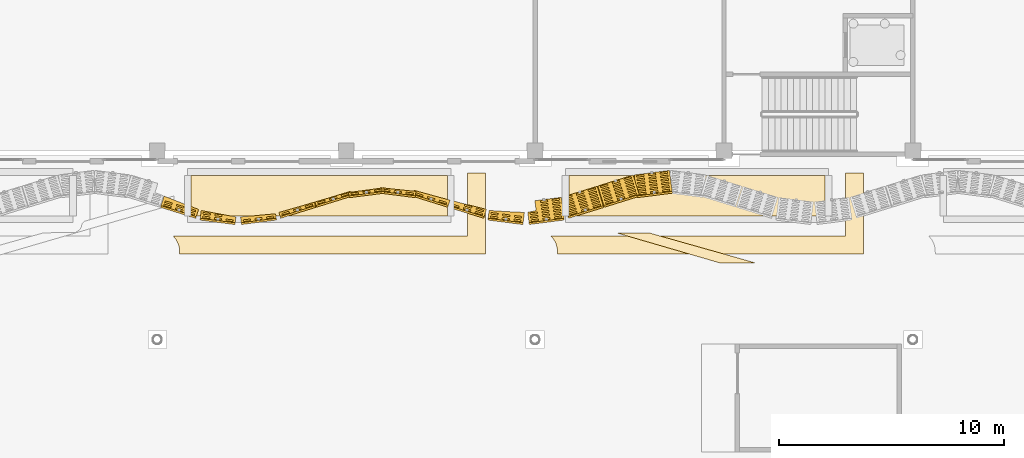
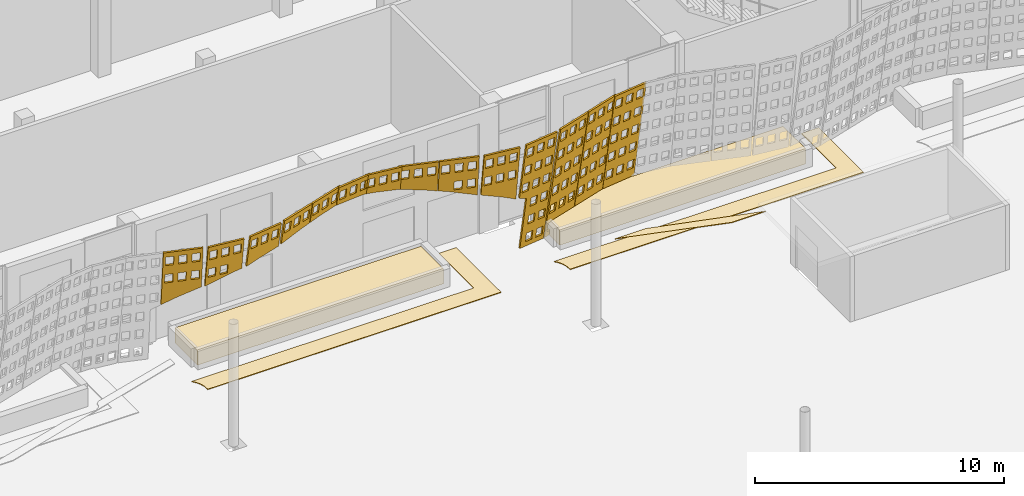
# One storey, part 175 of 210: 19 coverings.
"""IFC4 building model written with IfcOpenShell, lengths in metres."""

from ifc_helpers import new_model, si_unit, direction, frame, origin, origin_2d, place, context, subcontext, project, spatial, polyline, rectangle, outline, extrude, material, layer, layer_set, type_object, element, save


model = new_model("IFC4")

# Units and contexts
model_context = context("Model", 3, precision=1e-05, world=origin(), true_north=direction((0.0, 1.0)))
body_context = subcontext(model_context, "Body", "Model", "MODEL_VIEW")
ifc_project = project(units=[si_unit("LENGTHUNIT", "METRE"), si_unit("AREAUNIT", "SQUARE_METRE"), si_unit("VOLUMEUNIT", "CUBIC_METRE"), si_unit("PLANEANGLEUNIT", "RADIAN"), si_unit("MASSUNIT", "GRAM", prefix="KILO")], contexts=[model_context])

# Site, building, storey
site_placement = place(None, origin())
site = spatial("IfcSite", under=ifc_project, at=site_placement, CompositionType="ELEMENT")
building_placement = place(site_placement, origin())
building = spatial("IfcBuilding", under=site, at=building_placement, Name="Rain Tree Exposition and Congress Centre", CompositionType="ELEMENT")
storey_placement = place(building_placement, origin())
storey = spatial("IfcBuildingStorey", under=building, at=storey_placement, Name="L00", CompositionType="ELEMENT", Elevation=0.0)

# Coverings
ifc_material_1 = material(Name="Granite paving", Category="masonry")
ifc_layer_1 = layer(ifc_material_1, 0.030029296875)
ifc_layer_set_1 = layer_set([ifc_layer_1], Name="Granite paving")
covering_type_1 = type_object("IfcCoveringType", Name="Granite paving inlay 30", PredefinedType="FLOORING", material=ifc_layer_set_1)
covering_1_placement = place(storey_placement, origin())
element("IfcCovering", 1, at=covering_1_placement, inside=storey, type_object=covering_type_1, Name="Granite paving inlay 23", PredefinedType="FLOORING", context=body_context, shape_type="SweptSolid", body=[
    extrude(outline(polyline([(114.259033203125, 71.949951171875), (112.818603515625, 71.949951171875), (117.45849609375, 70.60009765625), (119.037109375, 70.60009765625), (116.853759765625, 71.216796875), (114.259033203125, 71.949951171875)])), origin(), (0.0, 0.0, 1.0), 0.030029296875),
])
covering_2_placement = place(storey_placement, origin())
element("IfcCovering", 2, at=covering_2_placement, inside=storey, type_object=covering_type_1, Name="Granite paving inlay 26", PredefinedType="FLOORING", context=body_context, shape_type="SweptSolid", body=[
    extrude(outline(polyline([(106.199951171875, 71.800048828125), (93.113525390625, 71.800048828125), (93.241943359375, 71.638916015625), (93.330810546875, 71.46435546875), (93.384033203125, 71.275634765625), (93.39990234375, 71.0), (107.0, 71.0), (107.0, 74.60009765625), (106.199951171875, 74.60009765625), (106.199951171875, 71.800048828125)])), origin(), (0.0, 0.0, 1.0), 0.030029296875),
])
covering_3_placement = place(storey_placement, origin())
element("IfcCovering", 3, at=covering_3_placement, inside=storey, type_object=covering_type_1, Name="Granite paving inlay 27", PredefinedType="FLOORING", context=body_context, shape_type="SweptSolid", body=[
    extrude(outline(polyline([(123.0, 71.800048828125), (109.91357421875, 71.800048828125), (110.0419921875, 71.638916015625), (110.130859375, 71.46435546875), (110.18408203125, 71.275634765625), (110.199951171875, 71.0), (123.800048828125, 71.0), (123.800048828125, 74.60009765625), (123.0, 74.60009765625), (123.0, 71.800048828125)])), origin(), (0.0, 0.0, 1.0), 0.030029296875),
])
ifc_material_2 = material(Name="Planting substrate", Category="soil")
ifc_layer_2 = layer(ifc_material_2, 0.75)
ifc_layer_set_2 = layer_set([ifc_layer_2], Name="Planting substrate")
covering_type_2 = type_object("IfcCoveringType", Name="Planting bed substrate 750", PredefinedType="FLOORING", material=ifc_layer_set_2)
for number, where, z_axis, x_axis, name in (
    (4, (99.60009765625, 73.60009765625, 0.0), (0.0, 0.0, 1.0), (1.0, 0.0, 0.0), "Planting bed"),
    (5, (116.39990234375, 73.60009765625, 0.0), (0.0, 0.0, 1.0), (1.0, 0.0, 0.0), "Planting bed"),
):
    element("IfcCovering", number, at=place(storey_placement, frame(where, z_axis=z_axis, x_axis=x_axis)), inside=storey, type_object=covering_type_2, Name=name, PredefinedType="FLOORING", context=body_context, shape_type="SweptSolid", body=[
        extrude(rectangle(XDim=11.39990234375, YDim=1.800048828125, at=origin_2d()), origin(), (0.0, 0.0, 1.0), 0.75),
    ])
ifc_material_3 = material(Name="Perforated terracotta", Category="masonry")
ifc_layer_3 = layer(ifc_material_3, 0.080078125)
ifc_layer_set_3 = layer_set([ifc_layer_3], Name="Perforated terracotta")
covering_type_3 = type_object("IfcCoveringType", Name="Terracotta screen 80", PredefinedType="CLADDING", material=ifc_layer_set_3)
covering_4_placement = place(storey_placement, frame((92.800048828125, 73.949951171875, 0.0), z_axis=(0.293072736571, 0.943327870838, 0.155694891303), x_axis=(-0.954973588716, 0.296690823679, 0.0)))
element("IfcCovering", 6, at=covering_4_placement, inside=storey, type_object=covering_type_3, Name="concourse/screen/L00/059", PredefinedType="CLADDING", context=body_context, shape_type="SweptSolid", body=[
    extrude(outline(polyline([(-0.014892578125, 5.80859375), (-0.014892578125, 2.939697265625), (-0.680419921875, 3.25634765625), (-1.65283203125, 3.645751953125), (-1.65283203125, 5.80859375), (-0.014892578125, 5.80859375)]), holes=[polyline([(-0.11865234375, 4.122314453125), (-0.11865234375, 4.5908203125), (-0.457275390625, 4.5908203125), (-0.457275390625, 4.122314453125), (-0.11865234375, 4.122314453125)]), polyline([(-0.11865234375, 5.09033203125), (-0.11865234375, 5.558837890625), (-0.457275390625, 5.558837890625), (-0.457275390625, 5.09033203125), (-0.11865234375, 5.09033203125)]), polyline([(-0.664794921875, 4.122314453125), (-0.664794921875, 4.5908203125), (-1.003173828125, 4.5908203125), (-1.003173828125, 4.122314453125), (-0.664794921875, 4.122314453125)]), polyline([(-0.664794921875, 5.09033203125), (-0.664794921875, 5.558837890625), (-1.003173828125, 5.558837890625), (-1.003173828125, 5.09033203125), (-0.664794921875, 5.09033203125)]), polyline([(-1.210693359375, 4.122314453125), (-1.210693359375, 4.5908203125), (-1.54931640625, 4.5908203125), (-1.54931640625, 4.122314453125), (-1.210693359375, 4.122314453125)]), polyline([(-1.210693359375, 5.09033203125), (-1.210693359375, 5.558837890625), (-1.54931640625, 5.558837890625), (-1.54931640625, 5.09033203125), (-1.210693359375, 5.09033203125)])]), origin(), (0.0, 0.0, 1.0), 0.080078125),
])
covering_5_placement = place(storey_placement, frame((94.39990234375, 73.455078125, 0.0), z_axis=(0.125405134464, 0.978771781185, 0.162109076259), x_axis=(-0.991891686382, 0.127086122318, 0.0)))
element("IfcCovering", 7, at=covering_5_placement, inside=storey, type_object=covering_type_3, Name="concourse/screen/L00/060", PredefinedType="CLADDING", context=body_context, shape_type="SweptSolid", body=[
    extrude(outline(polyline([(-0.02197265625, 5.813720703125), (-0.02197265625, 3.667236328125), (-0.100830078125, 3.699951171875), (-1.159423828125, 4.06396484375), (-1.587890625, 4.182373046875), (-1.587890625, 5.813720703125), (-0.02197265625, 5.813720703125)]), holes=[polyline([(-0.12109375, 4.125732421875), (-0.12109375, 4.594482421875), (-0.444580078125, 4.594482421875), (-0.444580078125, 4.125732421875), (-0.12109375, 4.125732421875)]), polyline([(-0.12109375, 5.0947265625), (-0.12109375, 5.563720703125), (-0.444580078125, 5.563720703125), (-0.444580078125, 5.0947265625), (-0.12109375, 5.0947265625)]), polyline([(-0.64306640625, 4.125732421875), (-0.64306640625, 4.594482421875), (-0.966796875, 4.594482421875), (-0.966796875, 4.125732421875), (-0.64306640625, 4.125732421875)]), polyline([(-0.64306640625, 5.0947265625), (-0.64306640625, 5.563720703125), (-0.966796875, 5.563720703125), (-0.966796875, 5.0947265625), (-0.64306640625, 5.0947265625)]), polyline([(-1.1650390625, 5.0947265625), (-1.1650390625, 5.563720703125), (-1.48876953125, 5.563720703125), (-1.48876953125, 5.0947265625), (-1.1650390625, 5.0947265625)])]), origin(), (0.0, 0.0, 1.0), 0.079833984375),
])
covering_6_placement = place(storey_placement, frame((96.0, 73.25, 0.0), z_axis=(-0.125030801275, 0.978899688033, 0.161625182136), x_axis=(-0.991941518713, -0.126696580272, 0.0)))
element("IfcCovering", 8, at=covering_6_placement, inside=storey, type_object=covering_type_3, Name="concourse/screen/L00/061", PredefinedType="CLADDING", context=body_context, shape_type="SweptSolid", body=[
    extrude(outline(polyline([(-0.025146484375, 5.813720703125), (-0.025146484375, 4.1962890625), (-0.60498046875, 4.356201171875), (-1.59130859375, 4.56494140625), (-1.59130859375, 5.813720703125), (-0.025146484375, 5.813720703125)]), holes=[polyline([(-0.12451171875, 5.0947265625), (-0.12451171875, 5.563720703125), (-0.447998046875, 5.563720703125), (-0.447998046875, 5.0947265625), (-0.12451171875, 5.0947265625)]), polyline([(-0.646484375, 5.0947265625), (-0.646484375, 5.563720703125), (-0.969970703125, 5.563720703125), (-0.969970703125, 5.0947265625), (-0.646484375, 5.0947265625)]), polyline([(-1.16845703125, 5.0947265625), (-1.16845703125, 5.563720703125), (-1.491943359375, 5.563720703125), (-1.491943359375, 5.0947265625), (-1.16845703125, 5.0947265625)])]), origin(), (0.0, 0.0, 1.0), 0.080078125),
])
covering_7_placement = place(storey_placement, frame((97.60009765625, 73.455078125, 0.0), z_axis=(-0.293072736571, 0.943327870838, 0.155694891303), x_axis=(-0.954973588716, -0.296690823679, 0.0)))
element("IfcCovering", 9, at=covering_7_placement, inside=storey, type_object=covering_type_3, Name="concourse/screen/L00/062", PredefinedType="CLADDING", context=body_context, shape_type="SweptSolid", body=[
    extrude(outline(polyline([(-0.02197265625, 5.80859375), (-0.02197265625, 4.569580078125), (-0.05224609375, 4.57568359375), (-1.1513671875, 4.73388671875), (-1.659912109375, 4.777587890625), (-1.659912109375, 5.80859375), (-0.02197265625, 5.80859375)]), holes=[polyline([(-0.125732421875, 5.09033203125), (-0.125732421875, 5.558837890625), (-0.464111328125, 5.558837890625), (-0.464111328125, 5.09033203125), (-0.125732421875, 5.09033203125)]), polyline([(-0.671630859375, 5.09033203125), (-0.671630859375, 5.558837890625), (-1.010009765625, 5.558837890625), (-1.010009765625, 5.09033203125), (-0.671630859375, 5.09033203125)]), polyline([(-1.217529296875, 5.09033203125), (-1.217529296875, 5.558837890625), (-1.55615234375, 5.558837890625), (-1.55615234375, 5.09033203125), (-1.217529296875, 5.09033203125)])]), origin(), (0.0, 0.0, 1.0), 0.080078125),
])
covering_8_placement = place(storey_placement, frame((99.199951171875, 73.949951171875, 0.0), z_axis=(-0.293072736571, 0.943327870838, 0.155694891303), x_axis=(-0.954973588716, -0.296690823679, 0.0)))
element("IfcCovering", 10, at=covering_8_placement, inside=storey, type_object=covering_type_3, Name="concourse/screen/L00/063", PredefinedType="CLADDING", context=body_context, shape_type="SweptSolid", body=[
    extrude(outline(polyline([(-0.014892578125, 5.80859375), (-0.014892578125, 4.780029296875), (-0.57568359375, 4.828125), (-1.659912109375, 4.85888671875), (-1.659912109375, 5.80859375), (-0.014892578125, 5.80859375)]), holes=[polyline([(-0.119140625, 5.09033203125), (-0.119140625, 5.558837890625), (-0.458984375, 5.558837890625), (-0.458984375, 5.09033203125), (-0.119140625, 5.09033203125)]), polyline([(-0.66748046875, 5.09033203125), (-0.66748046875, 5.558837890625), (-1.00732421875, 5.558837890625), (-1.00732421875, 5.09033203125), (-0.66748046875, 5.09033203125)]), polyline([(-1.2158203125, 5.09033203125), (-1.2158203125, 5.558837890625), (-1.5556640625, 5.558837890625), (-1.5556640625, 5.09033203125), (-1.2158203125, 5.09033203125)])]), origin(), (0.0, 0.0, 1.0), 0.080078125),
])
covering_9_placement = place(storey_placement, frame((100.800048828125, 74.445068359375, 0.0), z_axis=(-0.125405134464, 0.978771781185, 0.162109076259), x_axis=(-0.991891686382, -0.127086122318, 0.0)))
element("IfcCovering", 11, at=covering_9_placement, inside=storey, type_object=covering_type_3, Name="concourse/screen/L00/064", PredefinedType="CLADDING", context=body_context, shape_type="SweptSolid", body=[
    extrude(outline(polyline([(-0.014892578125, 5.813720703125), (-0.014892578125, 4.863525390625), (-1.05859375, 4.832763671875), (-1.59814453125, 4.78466796875), (-1.59814453125, 5.813720703125), (-0.014892578125, 5.813720703125)]), holes=[polyline([(-0.115234375, 5.0947265625), (-0.115234375, 5.563720703125), (-0.4423828125, 5.563720703125), (-0.4423828125, 5.0947265625), (-0.115234375, 5.0947265625)]), polyline([(-0.64306640625, 5.0947265625), (-0.64306640625, 5.563720703125), (-0.97021484375, 5.563720703125), (-0.97021484375, 5.0947265625), (-0.64306640625, 5.0947265625)]), polyline([(-1.170654296875, 5.0947265625), (-1.170654296875, 5.563720703125), (-1.497802734375, 5.563720703125), (-1.497802734375, 5.0947265625), (-1.170654296875, 5.0947265625)])]), origin(), (0.0, 0.0, 1.0), 0.079833984375),
])
covering_10_placement = place(storey_placement, frame((102.39990234375, 74.64990234375, 0.0), z_axis=(0.125030801275, 0.978899688033, 0.161625182136), x_axis=(-0.991941518713, 0.126696580272, 0.0)))
element("IfcCovering", 12, at=covering_10_placement, inside=storey, type_object=covering_type_3, Name="concourse/screen/L00/065", PredefinedType="CLADDING", context=body_context, shape_type="SweptSolid", body=[
    extrude(outline(polyline([(-0.014892578125, 5.813720703125), (-0.014892578125, 4.781982421875), (-0.504150390625, 4.738525390625), (-1.562744140625, 4.580078125), (-1.59814453125, 4.57275390625), (-1.59814453125, 5.813720703125), (-0.014892578125, 5.813720703125)]), holes=[polyline([(-0.115234375, 5.0947265625), (-0.115234375, 5.563720703125), (-0.4423828125, 5.563720703125), (-0.4423828125, 5.0947265625), (-0.115234375, 5.0947265625)]), polyline([(-0.64306640625, 5.0947265625), (-0.64306640625, 5.563720703125), (-0.97021484375, 5.563720703125), (-0.97021484375, 5.0947265625), (-0.64306640625, 5.0947265625)]), polyline([(-1.170654296875, 5.0947265625), (-1.170654296875, 5.563720703125), (-1.497802734375, 5.563720703125), (-1.497802734375, 5.0947265625), (-1.170654296875, 5.0947265625)])]), origin(), (0.0, 0.0, 1.0), 0.080078125),
])
covering_11_placement = place(storey_placement, frame((104.0, 74.445068359375, 0.0), z_axis=(0.293072736571, 0.943327870838, 0.155694891303), x_axis=(-0.954973588716, 0.296690823679, 0.0)))
element("IfcCovering", 13, at=covering_11_placement, inside=storey, type_object=covering_type_3, Name="concourse/screen/L00/066", PredefinedType="CLADDING", context=body_context, shape_type="SweptSolid", body=[
    extrude(outline(polyline([(-0.014892578125, 5.80859375), (-0.014892578125, 4.56201171875), (-1.046875, 4.35205078125), (-1.659912109375, 4.189208984375), (-1.659912109375, 5.80859375), (-0.014892578125, 5.80859375)]), holes=[polyline([(-0.119140625, 5.09033203125), (-0.119140625, 5.558837890625), (-0.458984375, 5.558837890625), (-0.458984375, 5.09033203125), (-0.119140625, 5.09033203125)]), polyline([(-0.66748046875, 5.09033203125), (-0.66748046875, 5.558837890625), (-1.00732421875, 5.558837890625), (-1.00732421875, 5.09033203125), (-0.66748046875, 5.09033203125)]), polyline([(-1.2158203125, 5.09033203125), (-1.2158203125, 5.558837890625), (-1.5556640625, 5.558837890625), (-1.5556640625, 5.09033203125), (-1.2158203125, 5.09033203125)])]), origin(), (0.0, 0.0, 1.0), 0.080078125),
])
covering_12_placement = place(storey_placement, frame((105.60009765625, 73.949951171875, 0.0), z_axis=(0.290278371326, 0.94416859726, 0.155833651975), x_axis=(-0.955845867297, 0.293868470528, 0.0)))
element("IfcCovering", 14, at=covering_12_placement, inside=storey, type_object=covering_type_3, Name="concourse/screen/L00/067", PredefinedType="CLADDING", context=body_context, shape_type="SweptSolid", body=[
    extrude(outline(polyline([(-0.014892578125, 5.80859375), (-0.014892578125, 4.181396484375), (-0.470947265625, 4.060302734375), (-1.570068359375, 3.696533203125), (-1.65283203125, 3.663330078125), (-1.65283203125, 5.80859375), (-0.014892578125, 5.80859375)]), holes=[polyline([(-0.11865234375, 5.09033203125), (-0.11865234375, 5.558837890625), (-0.457275390625, 5.558837890625), (-0.457275390625, 5.09033203125), (-0.11865234375, 5.09033203125)]), polyline([(-0.664794921875, 4.122314453125), (-0.664794921875, 4.5908203125), (-1.003173828125, 4.5908203125), (-1.003173828125, 4.122314453125), (-0.664794921875, 4.122314453125)]), polyline([(-0.664794921875, 5.09033203125), (-0.664794921875, 5.558837890625), (-1.003173828125, 5.558837890625), (-1.003173828125, 5.09033203125), (-0.664794921875, 5.09033203125)]), polyline([(-1.210693359375, 4.122314453125), (-1.210693359375, 4.5908203125), (-1.54931640625, 4.5908203125), (-1.54931640625, 4.122314453125), (-1.210693359375, 4.122314453125)]), polyline([(-1.210693359375, 5.09033203125), (-1.210693359375, 5.558837890625), (-1.54931640625, 5.558837890625), (-1.54931640625, 5.09033203125), (-1.210693359375, 5.09033203125)])]), origin(), (0.0, 0.0, 1.0), 0.079833984375),
])
covering_13_placement = place(storey_placement, frame((107.199951171875, 73.455078125, 0.0), z_axis=(0.125405134464, 0.978771781185, 0.162109076259), x_axis=(-0.991891686382, 0.127086122318, 0.0)))
element("IfcCovering", 15, at=covering_13_placement, inside=storey, type_object=covering_type_3, Name="concourse/screen/L00/068", PredefinedType="CLADDING", context=body_context, shape_type="SweptSolid", body=[
    extrude(outline(polyline([(-0.02197265625, 5.813720703125), (-0.02197265625, 3.64892578125), (-0.957763671875, 3.259521484375), (-1.587890625, 2.947998046875), (-1.587890625, 5.813720703125), (-0.02197265625, 5.813720703125)]), holes=[polyline([(-0.12109375, 4.125732421875), (-0.12109375, 4.594482421875), (-0.444580078125, 4.594482421875), (-0.444580078125, 4.125732421875), (-0.12109375, 4.125732421875)]), polyline([(-0.12109375, 5.0947265625), (-0.12109375, 5.563720703125), (-0.444580078125, 5.563720703125), (-0.444580078125, 5.0947265625), (-0.12109375, 5.0947265625)]), polyline([(-0.64306640625, 4.125732421875), (-0.64306640625, 4.594482421875), (-0.966796875, 4.594482421875), (-0.966796875, 4.125732421875), (-0.64306640625, 4.125732421875)]), polyline([(-0.64306640625, 5.0947265625), (-0.64306640625, 5.563720703125), (-0.966796875, 5.563720703125), (-0.966796875, 5.0947265625), (-0.64306640625, 5.0947265625)]), polyline([(-1.1650390625, 4.125732421875), (-1.1650390625, 4.594482421875), (-1.48876953125, 4.594482421875), (-1.48876953125, 4.125732421875), (-1.1650390625, 4.125732421875)]), polyline([(-1.1650390625, 5.0947265625), (-1.1650390625, 5.563720703125), (-1.48876953125, 5.563720703125), (-1.48876953125, 5.0947265625), (-1.1650390625, 5.0947265625)])]), origin(), (0.0, 0.0, 1.0), 0.079833984375),
])
covering_14_placement = place(storey_placement, frame((108.800048828125, 73.25, 0.0), z_axis=(-0.125030801275, 0.978899688033, 0.161625182136), x_axis=(-0.991941518713, -0.126696580272, 0.0)))
element("IfcCovering", 16, at=covering_14_placement, inside=storey, type_object=covering_type_3, Name="concourse/screen/L00/069", PredefinedType="CLADDING", context=body_context, shape_type="SweptSolid", body=[
    extrude(outline(polyline([(-0.025146484375, 5.813720703125), (-0.025146484375, 2.923095703125), (-0.4033203125, 2.736083984375), (-0.4033203125, 0.0), (-1.59130859375, 0.0), (-1.59130859375, 5.813720703125), (-0.025146484375, 5.813720703125)]), holes=[polyline([(-0.12451171875, 3.156982421875), (-0.12451171875, 3.625732421875), (-0.447998046875, 3.625732421875), (-0.447998046875, 3.156982421875), (-0.12451171875, 3.156982421875)]), polyline([(-0.12451171875, 4.125732421875), (-0.12451171875, 4.594482421875), (-0.447998046875, 4.594482421875), (-0.447998046875, 4.125732421875), (-0.12451171875, 4.125732421875)]), polyline([(-0.12451171875, 5.0947265625), (-0.12451171875, 5.563720703125), (-0.447998046875, 5.563720703125), (-0.447998046875, 5.0947265625), (-0.12451171875, 5.0947265625)]), polyline([(-0.646484375, 0.25), (-0.646484375, 0.718994140625), (-0.969970703125, 0.718994140625), (-0.969970703125, 0.25), (-0.646484375, 0.25)]), polyline([(-0.646484375, 1.218994140625), (-0.646484375, 1.687744140625), (-0.969970703125, 1.687744140625), (-0.969970703125, 1.218994140625), (-0.646484375, 1.218994140625)]), polyline([(-0.646484375, 2.18798828125), (-0.646484375, 2.65673828125), (-0.969970703125, 2.65673828125), (-0.969970703125, 2.18798828125), (-0.646484375, 2.18798828125)]), polyline([(-0.646484375, 3.156982421875), (-0.646484375, 3.625732421875), (-0.969970703125, 3.625732421875), (-0.969970703125, 3.156982421875), (-0.646484375, 3.156982421875)]), polyline([(-0.646484375, 4.125732421875), (-0.646484375, 4.594482421875), (-0.969970703125, 4.594482421875), (-0.969970703125, 4.125732421875), (-0.646484375, 4.125732421875)]), polyline([(-0.646484375, 5.0947265625), (-0.646484375, 5.563720703125), (-0.969970703125, 5.563720703125), (-0.969970703125, 5.0947265625), (-0.646484375, 5.0947265625)]), polyline([(-1.16845703125, 0.25), (-1.16845703125, 0.718994140625), (-1.491943359375, 0.718994140625), (-1.491943359375, 0.25), (-1.16845703125, 0.25)]), polyline([(-1.16845703125, 1.218994140625), (-1.16845703125, 1.687744140625), (-1.491943359375, 1.687744140625), (-1.491943359375, 1.218994140625), (-1.16845703125, 1.218994140625)]), polyline([(-1.16845703125, 2.18798828125), (-1.16845703125, 2.65673828125), (-1.491943359375, 2.65673828125), (-1.491943359375, 2.18798828125), (-1.16845703125, 2.18798828125)]), polyline([(-1.16845703125, 3.156982421875), (-1.16845703125, 3.625732421875), (-1.491943359375, 3.625732421875), (-1.491943359375, 3.156982421875), (-1.16845703125, 3.156982421875)]), polyline([(-1.16845703125, 4.125732421875), (-1.16845703125, 4.594482421875), (-1.491943359375, 4.594482421875), (-1.491943359375, 4.125732421875), (-1.16845703125, 4.125732421875)]), polyline([(-1.16845703125, 5.0947265625), (-1.16845703125, 5.563720703125), (-1.491943359375, 5.563720703125), (-1.491943359375, 5.0947265625), (-1.16845703125, 5.0947265625)])]), origin(), (0.0, 0.0, 1.0), 0.080078125),
])
covering_15_placement = place(storey_placement, frame((110.39990234375, 73.455078125, 0.0), z_axis=(-0.290278371326, 0.94416859726, 0.155833651975), x_axis=(-0.955845867297, -0.293868470528, 0.0)))
element("IfcCovering", 17, at=covering_15_placement, inside=storey, type_object=covering_type_3, Name="concourse/screen/L00/070", PredefinedType="CLADDING", context=body_context, shape_type="SweptSolid", body=[
    extrude(outline(polyline([(-0.02197265625, 0.0), (-1.659912109375, 0.0), (-1.659912109375, 5.80859375), (-0.02197265625, 5.80859375), (-0.02197265625, 0.0)]), holes=[polyline([(-0.125732421875, 0.249755859375), (-0.125732421875, 0.71826171875), (-0.464111328125, 0.71826171875), (-0.464111328125, 0.249755859375), (-0.125732421875, 0.249755859375)]), polyline([(-0.125732421875, 1.218017578125), (-0.125732421875, 1.686279296875), (-0.464111328125, 1.686279296875), (-0.464111328125, 1.218017578125), (-0.125732421875, 1.218017578125)]), polyline([(-0.125732421875, 2.18603515625), (-0.125732421875, 2.654541015625), (-0.464111328125, 2.654541015625), (-0.464111328125, 2.18603515625), (-0.125732421875, 2.18603515625)]), polyline([(-0.125732421875, 3.154052734375), (-0.125732421875, 3.62255859375), (-0.464111328125, 3.62255859375), (-0.464111328125, 3.154052734375), (-0.125732421875, 3.154052734375)]), polyline([(-0.125732421875, 4.122314453125), (-0.125732421875, 4.5908203125), (-0.464111328125, 4.5908203125), (-0.464111328125, 4.122314453125), (-0.125732421875, 4.122314453125)]), polyline([(-0.125732421875, 5.09033203125), (-0.125732421875, 5.558837890625), (-0.464111328125, 5.558837890625), (-0.464111328125, 5.09033203125), (-0.125732421875, 5.09033203125)]), polyline([(-0.671630859375, 0.249755859375), (-0.671630859375, 0.71826171875), (-1.010009765625, 0.71826171875), (-1.010009765625, 0.249755859375), (-0.671630859375, 0.249755859375)]), polyline([(-0.671630859375, 1.218017578125), (-0.671630859375, 1.686279296875), (-1.010009765625, 1.686279296875), (-1.010009765625, 1.218017578125), (-0.671630859375, 1.218017578125)]), polyline([(-0.671630859375, 2.18603515625), (-0.671630859375, 2.654541015625), (-1.010009765625, 2.654541015625), (-1.010009765625, 2.18603515625), (-0.671630859375, 2.18603515625)]), polyline([(-0.671630859375, 3.154052734375), (-0.671630859375, 3.62255859375), (-1.010009765625, 3.62255859375), (-1.010009765625, 3.154052734375), (-0.671630859375, 3.154052734375)]), polyline([(-0.671630859375, 4.122314453125), (-0.671630859375, 4.5908203125), (-1.010009765625, 4.5908203125), (-1.010009765625, 4.122314453125), (-0.671630859375, 4.122314453125)]), polyline([(-0.671630859375, 5.09033203125), (-0.671630859375, 5.558837890625), (-1.010009765625, 5.558837890625), (-1.010009765625, 5.09033203125), (-0.671630859375, 5.09033203125)]), polyline([(-1.217529296875, 0.249755859375), (-1.217529296875, 0.71826171875), (-1.55615234375, 0.71826171875), (-1.55615234375, 0.249755859375), (-1.217529296875, 0.249755859375)]), polyline([(-1.217529296875, 1.218017578125), (-1.217529296875, 1.686279296875), (-1.55615234375, 1.686279296875), (-1.55615234375, 1.218017578125), (-1.217529296875, 1.218017578125)]), polyline([(-1.217529296875, 2.18603515625), (-1.217529296875, 2.654541015625), (-1.55615234375, 2.654541015625), (-1.55615234375, 2.18603515625), (-1.217529296875, 2.18603515625)]), polyline([(-1.217529296875, 3.154052734375), (-1.217529296875, 3.62255859375), (-1.55615234375, 3.62255859375), (-1.55615234375, 3.154052734375), (-1.217529296875, 3.154052734375)]), polyline([(-1.217529296875, 4.122314453125), (-1.217529296875, 4.5908203125), (-1.55615234375, 4.5908203125), (-1.55615234375, 4.122314453125), (-1.217529296875, 4.122314453125)]), polyline([(-1.217529296875, 5.09033203125), (-1.217529296875, 5.558837890625), (-1.55615234375, 5.558837890625), (-1.55615234375, 5.09033203125), (-1.217529296875, 5.09033203125)])]), origin(), (0.0, 0.0, 1.0), 0.079833984375),
])
covering_16_placement = place(storey_placement, frame((112.0, 73.949951171875, 0.0), z_axis=(-0.293072736571, 0.943327870838, 0.155694891303), x_axis=(-0.954973588716, -0.296690823679, 0.0)))
element("IfcCovering", 18, at=covering_16_placement, inside=storey, type_object=covering_type_3, Name="concourse/screen/L00/071", PredefinedType="CLADDING", context=body_context, shape_type="SweptSolid", body=[
    extrude(outline(polyline([(-0.014892578125, 0.0), (-1.659912109375, 0.0), (-1.659912109375, 5.80859375), (-0.014892578125, 5.80859375), (-0.014892578125, 0.0)]), holes=[polyline([(-0.119140625, 0.249755859375), (-0.119140625, 0.71826171875), (-0.458984375, 0.71826171875), (-0.458984375, 0.249755859375), (-0.119140625, 0.249755859375)]), polyline([(-0.119140625, 1.218017578125), (-0.119140625, 1.686279296875), (-0.458984375, 1.686279296875), (-0.458984375, 1.218017578125), (-0.119140625, 1.218017578125)]), polyline([(-0.119140625, 2.18603515625), (-0.119140625, 2.654541015625), (-0.458984375, 2.654541015625), (-0.458984375, 2.18603515625), (-0.119140625, 2.18603515625)]), polyline([(-0.119140625, 3.154052734375), (-0.119140625, 3.62255859375), (-0.458984375, 3.62255859375), (-0.458984375, 3.154052734375), (-0.119140625, 3.154052734375)]), polyline([(-0.119140625, 4.122314453125), (-0.119140625, 4.5908203125), (-0.458984375, 4.5908203125), (-0.458984375, 4.122314453125), (-0.119140625, 4.122314453125)]), polyline([(-0.119140625, 5.09033203125), (-0.119140625, 5.558837890625), (-0.458984375, 5.558837890625), (-0.458984375, 5.09033203125), (-0.119140625, 5.09033203125)]), polyline([(-0.66748046875, 0.249755859375), (-0.66748046875, 0.71826171875), (-1.00732421875, 0.71826171875), (-1.00732421875, 0.249755859375), (-0.66748046875, 0.249755859375)]), polyline([(-0.66748046875, 1.218017578125), (-0.66748046875, 1.686279296875), (-1.00732421875, 1.686279296875), (-1.00732421875, 1.218017578125), (-0.66748046875, 1.218017578125)]), polyline([(-0.66748046875, 2.18603515625), (-0.66748046875, 2.654541015625), (-1.00732421875, 2.654541015625), (-1.00732421875, 2.18603515625), (-0.66748046875, 2.18603515625)]), polyline([(-0.66748046875, 3.154052734375), (-0.66748046875, 3.62255859375), (-1.00732421875, 3.62255859375), (-1.00732421875, 3.154052734375), (-0.66748046875, 3.154052734375)]), polyline([(-0.66748046875, 4.122314453125), (-0.66748046875, 4.5908203125), (-1.00732421875, 4.5908203125), (-1.00732421875, 4.122314453125), (-0.66748046875, 4.122314453125)]), polyline([(-0.66748046875, 5.09033203125), (-0.66748046875, 5.558837890625), (-1.00732421875, 5.558837890625), (-1.00732421875, 5.09033203125), (-0.66748046875, 5.09033203125)]), polyline([(-1.2158203125, 0.249755859375), (-1.2158203125, 0.71826171875), (-1.5556640625, 0.71826171875), (-1.5556640625, 0.249755859375), (-1.2158203125, 0.249755859375)]), polyline([(-1.2158203125, 1.218017578125), (-1.2158203125, 1.686279296875), (-1.5556640625, 1.686279296875), (-1.5556640625, 1.218017578125), (-1.2158203125, 1.218017578125)]), polyline([(-1.2158203125, 2.18603515625), (-1.2158203125, 2.654541015625), (-1.5556640625, 2.654541015625), (-1.5556640625, 2.18603515625), (-1.2158203125, 2.18603515625)]), polyline([(-1.2158203125, 3.154052734375), (-1.2158203125, 3.62255859375), (-1.5556640625, 3.62255859375), (-1.5556640625, 3.154052734375), (-1.2158203125, 3.154052734375)]), polyline([(-1.2158203125, 4.122314453125), (-1.2158203125, 4.5908203125), (-1.5556640625, 4.5908203125), (-1.5556640625, 4.122314453125), (-1.2158203125, 4.122314453125)]), polyline([(-1.2158203125, 5.09033203125), (-1.2158203125, 5.558837890625), (-1.5556640625, 5.558837890625), (-1.5556640625, 5.09033203125), (-1.2158203125, 5.09033203125)])]), origin(), (0.0, 0.0, 1.0), 0.080078125),
])
covering_17_placement = place(storey_placement, frame((113.60009765625, 74.445068359375, 0.0), z_axis=(-0.125405134464, 0.978771781185, 0.162109076259), x_axis=(-0.991891686382, -0.127086122318, 0.0)))
element("IfcCovering", 19, at=covering_17_placement, inside=storey, type_object=covering_type_3, Name="concourse/screen/L00/072", PredefinedType="CLADDING", context=body_context, shape_type="SweptSolid", body=[
    extrude(outline(polyline([(-0.014892578125, 0.0), (-1.59814453125, 0.0), (-1.59814453125, 5.813720703125), (-0.014892578125, 5.813720703125), (-0.014892578125, 0.0)]), holes=[polyline([(-0.115234375, 0.25), (-0.115234375, 0.718994140625), (-0.4423828125, 0.718994140625), (-0.4423828125, 0.25), (-0.115234375, 0.25)]), polyline([(-0.115234375, 1.218994140625), (-0.115234375, 1.687744140625), (-0.4423828125, 1.687744140625), (-0.4423828125, 1.218994140625), (-0.115234375, 1.218994140625)]), polyline([(-0.115234375, 2.18798828125), (-0.115234375, 2.65673828125), (-0.4423828125, 2.65673828125), (-0.4423828125, 2.18798828125), (-0.115234375, 2.18798828125)]), polyline([(-0.115234375, 3.156982421875), (-0.115234375, 3.625732421875), (-0.4423828125, 3.625732421875), (-0.4423828125, 3.156982421875), (-0.115234375, 3.156982421875)]), polyline([(-0.115234375, 4.125732421875), (-0.115234375, 4.594482421875), (-0.4423828125, 4.594482421875), (-0.4423828125, 4.125732421875), (-0.115234375, 4.125732421875)]), polyline([(-0.115234375, 5.0947265625), (-0.115234375, 5.563720703125), (-0.4423828125, 5.563720703125), (-0.4423828125, 5.0947265625), (-0.115234375, 5.0947265625)]), polyline([(-0.64306640625, 0.25), (-0.64306640625, 0.718994140625), (-0.97021484375, 0.718994140625), (-0.97021484375, 0.25), (-0.64306640625, 0.25)]), polyline([(-0.64306640625, 1.218994140625), (-0.64306640625, 1.687744140625), (-0.97021484375, 1.687744140625), (-0.97021484375, 1.218994140625), (-0.64306640625, 1.218994140625)]), polyline([(-0.64306640625, 2.18798828125), (-0.64306640625, 2.65673828125), (-0.97021484375, 2.65673828125), (-0.97021484375, 2.18798828125), (-0.64306640625, 2.18798828125)]), polyline([(-0.64306640625, 3.156982421875), (-0.64306640625, 3.625732421875), (-0.97021484375, 3.625732421875), (-0.97021484375, 3.156982421875), (-0.64306640625, 3.156982421875)]), polyline([(-0.64306640625, 4.125732421875), (-0.64306640625, 4.594482421875), (-0.97021484375, 4.594482421875), (-0.97021484375, 4.125732421875), (-0.64306640625, 4.125732421875)]), polyline([(-0.64306640625, 5.0947265625), (-0.64306640625, 5.563720703125), (-0.97021484375, 5.563720703125), (-0.97021484375, 5.0947265625), (-0.64306640625, 5.0947265625)]), polyline([(-1.170654296875, 0.25), (-1.170654296875, 0.718994140625), (-1.497802734375, 0.718994140625), (-1.497802734375, 0.25), (-1.170654296875, 0.25)]), polyline([(-1.170654296875, 1.218994140625), (-1.170654296875, 1.687744140625), (-1.497802734375, 1.687744140625), (-1.497802734375, 1.218994140625), (-1.170654296875, 1.218994140625)]), polyline([(-1.170654296875, 2.18798828125), (-1.170654296875, 2.65673828125), (-1.497802734375, 2.65673828125), (-1.497802734375, 2.18798828125), (-1.170654296875, 2.18798828125)]), polyline([(-1.170654296875, 3.156982421875), (-1.170654296875, 3.625732421875), (-1.497802734375, 3.625732421875), (-1.497802734375, 3.156982421875), (-1.170654296875, 3.156982421875)]), polyline([(-1.170654296875, 4.125732421875), (-1.170654296875, 4.594482421875), (-1.497802734375, 4.594482421875), (-1.497802734375, 4.125732421875), (-1.170654296875, 4.125732421875)]), polyline([(-1.170654296875, 5.0947265625), (-1.170654296875, 5.563720703125), (-1.497802734375, 5.563720703125), (-1.497802734375, 5.0947265625), (-1.170654296875, 5.0947265625)])]), origin(), (0.0, 0.0, 1.0), 0.079833984375),
])

save(model, "model.ifc")
